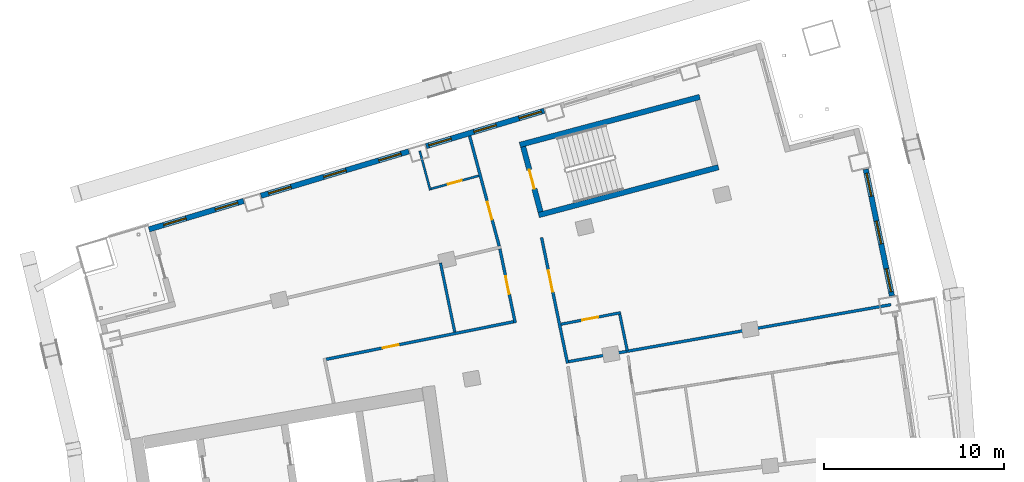
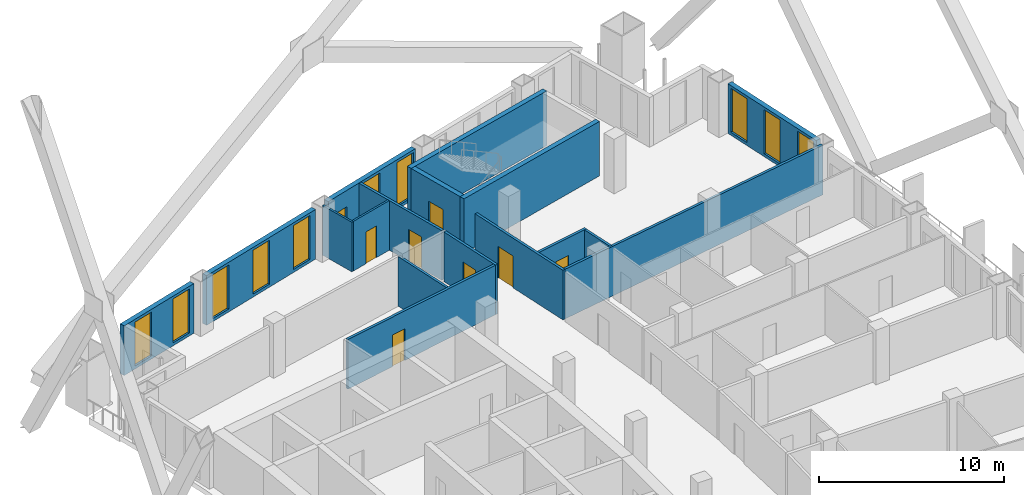
# One storey, part 17 of 22: 17 walls, 11 windows, 7 doors, 18 openings.
"""IFC4 building model written with IfcOpenShell, lengths in metres."""

from ifc_helpers import new_model, si_unit, direction, frame, frame_2d, origin, place, context, subcontext, project, spatial, rectangle, extrude, material, layer, layer_set, type_object, element, fill, save


model = new_model("IFC4")

# Units and contexts
model_context = context("Model", 3, precision=1e-05, world=origin(), true_north=direction((0.0, 1.0)))
body_context = subcontext(model_context, "Body", "Model", "MODEL_VIEW")
ifc_project = project(units=[si_unit("LENGTHUNIT", "METRE"), si_unit("AREAUNIT", "SQUARE_METRE"), si_unit("VOLUMEUNIT", "CUBIC_METRE"), si_unit("PLANEANGLEUNIT", "RADIAN"), si_unit("MASSUNIT", "GRAM", prefix="KILO")], contexts=[model_context])

# Site, building, storey
site_placement = place(None, origin())
site = spatial("IfcSite", under=ifc_project, at=site_placement, CompositionType="ELEMENT")
building_placement = place(site_placement, origin())
building = spatial("IfcBuilding", under=site, at=building_placement, Name="Alderwake Tower", CompositionType="ELEMENT")
storey_placement = place(building_placement, frame((0.0, 0.0, 160.39990234375)))
storey = spatial("IfcBuildingStorey", under=building, at=storey_placement, Name="L39", CompositionType="ELEMENT", Elevation=160.39990234375)

# Walls
ifc_material_1 = material(Name="Concrete C70/85", Category="concrete")
ifc_layer_1 = layer(ifc_material_1, 0.300048828125)
ifc_layer_set_1 = layer_set([ifc_layer_1], Name="Core wall stair enclosure 300 C70-85")
wall_type_1 = type_object("IfcWallType", Name="Core wall stair enclosure 300 C70-85", PredefinedType="SHEAR", material=ifc_layer_set_1)
for number, where, z_axis, x_axis, name in (
    (1, (36.71142578125, 94.182373046875, 0.0), (0.0, 0.0, 1.0), (0.966309214305, 0.257383958996, 0.0), "Core wall CW.082"),
    (2, (37.75390625, 90.268798828125, 0.0), (0.0, 0.0, 1.0), (0.966309214305, 0.257383958996, 0.0), "Core wall CW.084"),
):
    element("IfcWall", number, at=place(storey_placement, frame(where, z_axis=z_axis, x_axis=x_axis)), inside=storey, type_object=wall_type_1, Name=name, PredefinedType="SHEAR", context=body_context, shape_type="SweptSolid", body=[
        extrude(rectangle(XDim=10.360107421875, YDim=0.300048828125, at=frame_2d((5.18017578125, 0.0))), origin(), (0.0, 0.0, 1.0), 3.60009765625),
    ])

# Wall, opening, door
wall_1_placement = place(storey_placement, frame((37.8603515625, 90.452392578125, 0.0), z_axis=(0.0, 0.0, 1.0), x_axis=(-0.257411420208, 0.966301899381, 0.0)))
wall_1 = element("IfcWall", 3, at=wall_1_placement, inside=storey, type_object=wall_type_1, Name="Core wall CW.083", PredefinedType="SHEAR", context=body_context, shape_type="SweptSolid", body=[
    extrude(rectangle(XDim=3.750244140625, YDim=0.300048828125, at=frame_2d((1.875, 0.0))), origin(), (0.0, 0.0, 1.0), 3.60009765625),
])
opening_1_placement = place(wall_1_placement, frame((1.324951171875, 0.0, 0.0)))
opening_1 = element("IfcOpeningElement", 4, at=opening_1_placement, cuts=wall_1, Name="Opening C062", PredefinedType="OPENING", context=body_context, shape_type="SweptSolid", body=[
    extrude(rectangle(XDim=1.10009765625, YDim=2.10009765625, at=frame_2d((0.550048828125, 1.050048828125))), frame((0.0, 0.159912109375, 0.0), z_axis=(0.0, -1.0, 0.0), x_axis=(1.0, 0.0, 0.0)), (0.0, 0.0, 1.0), 0.320068359375),
])
ifc_material_2 = material(Name="Steel-framed fire door leaf", Category="steel")
door_type_1 = type_object("IfcDoorType", Name="Core stair door 1100 fire-rated", OperationType="SINGLE_SWING_LEFT", PredefinedType="DOOR", material=ifc_material_2)
door_1_placement = place(opening_1_placement, origin())
door_1 = element("IfcDoor", 5, at=door_1_placement, inside=storey, type_object=door_type_1, Name="Stair door", OperationType="SINGLE_SWING_LEFT", OverallHeight=2.10009765625, OverallWidth=1.10009765625, PredefinedType="DOOR", context=body_context, shape_type="SweptSolid", body=[
    extrude(rectangle(XDim=1.10009765625, YDim=2.10009765625, at=frame_2d((0.550048828125, 1.050048828125))), frame((0.0, 0.02490234375, 0.0), z_axis=(0.0, -1.0, 0.0), x_axis=(1.0, 0.0, 0.0)), (0.0, 0.0, 1.0), 0.050048828125),
])
fill(opening_1, door_1)

ifc_material_3 = material(Name="Gypsum board on metal studs, rated")
ifc_layer_2 = layer(ifc_material_3, 0.159912109375)
ifc_layer_set_2 = layer_set([ifc_layer_2], Name="Corridor wall 160")
wall_type_2 = type_object("IfcWallType", Name="Corridor wall 160", PredefinedType="PARTITIONING", material=ifc_layer_set_2)
wall_2_placement = place(storey_placement, frame((35.55908203125, 88.54736328125, 0.0), z_axis=(0.0, 0.0, 1.0), x_axis=(-0.259486497004, 0.965746735885, 0.0)))
wall_2 = element("IfcWall", 6, at=wall_2_placement, inside=storey, type_object=wall_type_2, Name="WL/L39/W15", PredefinedType="PARTITIONING", context=body_context, shape_type="SweptSolid", body=[
    extrude(rectangle(XDim=6.346923828125, YDim=0.159912109375, at=frame_2d((3.17333984375, 0.0))), origin(), (0.0, 0.0, 1.0), 3.280029296875),
])
opening_2_placement = place(wall_2_placement, frame((1.5380859375, 0.0, 0.0)))
opening_2 = element("IfcOpeningElement", 7, at=opening_2_placement, cuts=wall_2, Name="Opening R11-U10.1", PredefinedType="OPENING", context=body_context, shape_type="SweptSolid", body=[
    extrude(rectangle(XDim=1.0, YDim=2.10009765625, at=frame_2d((0.5, 1.050048828125))), frame((0.0, 0.08984375, 0.0), z_axis=(0.0, -1.0, 0.0), x_axis=(1.0, 0.0, 0.0)), (0.0, 0.0, 1.0), 0.179931640625),
])
ifc_material_4 = material(Name="Solid timber leaf in steel frame", Category="steel")
door_type_2 = type_object("IfcDoorType", Name="Flat entrance door 1000 fire-rated", OperationType="SINGLE_SWING_LEFT", PredefinedType="DOOR", material=ifc_material_4)
door_2_placement = place(opening_2_placement, origin())
door_2 = element("IfcDoor", 8, at=door_2_placement, inside=storey, type_object=door_type_2, Name="DR/L39/U10.1", OperationType="SINGLE_SWING_LEFT", OverallHeight=2.10009765625, OverallWidth=1.0, PredefinedType="DOOR", context=body_context, shape_type="SweptSolid", body=[
    extrude(rectangle(XDim=1.0, YDim=2.10009765625, at=frame_2d((0.5, 1.050048828125))), frame((0.0, 0.02490234375, 0.0), z_axis=(0.0, -1.0, 0.0), x_axis=(1.0, 0.0, 0.0)), (0.0, 0.0, 1.0), 0.050048828125),
])
fill(opening_2, door_2)

wall_3_placement = place(storey_placement, frame((36.451416015625, 84.272705078125, 0.0), z_axis=(0.0, 0.0, 1.0), x_axis=(-0.20329833965, 0.979116839348, 0.0)))
wall_3 = element("IfcWall", 9, at=wall_3_placement, inside=storey, type_object=wall_type_2, Name="WL/L39/W17", PredefinedType="PARTITIONING", context=body_context, shape_type="SweptSolid", body=[
    extrude(rectangle(XDim=4.206787109375, YDim=0.159912109375, at=frame_2d((2.103515625, 0.0))), origin(), (0.0, 0.0, 1.0), 3.280029296875),
])
opening_3_placement = place(wall_3_placement, frame((1.642822265625, 0.0, 0.0)))
opening_3 = element("IfcOpeningElement", 10, at=opening_3_placement, cuts=wall_3, Name="Opening R11-SBN2", PredefinedType="OPENING", context=body_context, shape_type="SweptSolid", body=[
    extrude(rectangle(XDim=1.0, YDim=2.10009765625, at=frame_2d((0.5, 1.050048828125))), frame((0.0, 0.08984375, 0.0), z_axis=(0.0, -1.0, 0.0), x_axis=(1.0, 0.0, 0.0)), (0.0, 0.0, 1.0), 0.179931640625),
])
ifc_material_5 = material(Name="Steel-framed fire door leaf", Category="steel")
door_type_3 = type_object("IfcDoorType", Name="Plant room door 1000 fire-rated", OperationType="SINGLE_SWING_LEFT", PredefinedType="DOOR", material=ifc_material_5)
door_3_placement = place(opening_3_placement, origin())
door_3 = element("IfcDoor", 11, at=door_3_placement, inside=storey, type_object=door_type_3, Name="DR/L39/SBN2", OperationType="SINGLE_SWING_LEFT", OverallHeight=2.10009765625, OverallWidth=1.0, PredefinedType="DOOR", context=body_context, shape_type="SweptSolid", body=[
    extrude(rectangle(XDim=1.0, YDim=2.10009765625, at=frame_2d((0.5, 1.050048828125))), frame((0.0, 0.02490234375, 0.0), z_axis=(0.0, -1.0, 0.0), x_axis=(1.0, 0.0, 0.0)), (0.0, 0.0, 1.0), 0.050048828125),
])
fill(opening_3, door_3)

wall_4_placement = place(storey_placement, frame((25.926513671875, 82.24267578125, 0.0), z_axis=(0.0, 0.0, 1.0), x_axis=(0.98046310274, 0.196703086316, 0.0)))
wall_4 = element("IfcWall", 12, at=wall_4_placement, inside=storey, type_object=wall_type_2, Name="WL/L39/W19", PredefinedType="PARTITIONING", context=body_context, shape_type="SweptSolid", body=[
    extrude(rectangle(XDim=10.637939453125, YDim=0.159912109375, at=frame_2d((5.31884765625, 0.0))), origin(), (0.0, 0.0, 1.0), 3.280029296875),
])
opening_4_placement = place(wall_4_placement, frame((3.208984375, 0.0, 0.0)))
opening_4 = element("IfcOpeningElement", 13, at=opening_4_placement, cuts=wall_4, Name="Opening R11-SBN1", PredefinedType="OPENING", context=body_context, shape_type="SweptSolid", body=[
    extrude(rectangle(XDim=0.89990234375, YDim=2.10009765625, at=frame_2d((0.449951171875, 1.050048828125))), frame((0.0, 0.08984375, 0.0), z_axis=(0.0, -1.0, 0.0), x_axis=(1.0, 0.0, 0.0)), (0.0, 0.0, 1.0), 0.179931640625),
])
ifc_material_6 = material(Name="Painted timber leaf", Category="wood")
door_type_4 = type_object("IfcDoorType", Name="Room door 900", OperationType="SINGLE_SWING_LEFT", PredefinedType="DOOR", material=ifc_material_6)
door_4_placement = place(opening_4_placement, origin())
door_4 = element("IfcDoor", 14, at=door_4_placement, inside=storey, type_object=door_type_4, Name="DR/L39/SBN1", OperationType="SINGLE_SWING_LEFT", OverallHeight=2.10009765625, OverallWidth=0.89990234375, PredefinedType="DOOR", context=body_context, shape_type="SweptSolid", body=[
    extrude(rectangle(XDim=0.89990234375, YDim=2.10009765625, at=frame_2d((0.449951171875, 1.050048828125))), frame((0.0, 0.02490234375, 0.0), z_axis=(0.0, -1.0, 0.0), x_axis=(1.0, 0.0, 0.0)), (0.0, 0.0, 1.0), 0.050048828125),
])
fill(opening_4, door_4)

wall_5_placement = place(storey_placement, frame((37.9169921875, 89.02490234375, 0.0), z_axis=(0.0, 0.0, 1.0), x_axis=(0.202409142021, -0.979301046271, 0.0)))
wall_5 = element("IfcWall", 15, at=wall_5_placement, inside=storey, type_object=wall_type_2, Name="WL/L39/W22", PredefinedType="PARTITIONING", context=body_context, shape_type="SweptSolid", body=[
    extrude(rectangle(XDim=7.150146484375, YDim=0.159912109375, at=frame_2d((3.5751953125, 0.0))), origin(), (0.0, 0.0, 1.0), 3.280029296875),
])
opening_5_placement = place(wall_5_placement, frame((1.874755859375, 0.0, 0.0)))
opening_5 = element("IfcOpeningElement", 16, at=opening_5_placement, cuts=wall_5, Name="Opening R11-AM1.1", PredefinedType="OPENING", context=body_context, shape_type="SweptSolid", body=[
    extrude(rectangle(XDim=1.199951171875, YDim=2.10009765625, at=frame_2d((0.60009765625, 1.050048828125))), frame((0.0, 0.08984375, 0.0), z_axis=(0.0, -1.0, 0.0), x_axis=(1.0, 0.0, 0.0)), (0.0, 0.0, 1.0), 0.179931640625),
])
ifc_material_7 = material(Name="Steel-framed fire door leaf", Category="steel")
door_type_5 = type_object("IfcDoorType", Name="Lobby door 1200 fire-rated", OperationType="SINGLE_SWING_LEFT", PredefinedType="DOOR", material=ifc_material_7)
door_5_placement = place(opening_5_placement, origin())
door_5 = element("IfcDoor", 17, at=door_5_placement, inside=storey, type_object=door_type_5, Name="DR/L39/AM1.1", OperationType="SINGLE_SWING_LEFT", OverallHeight=2.10009765625, OverallWidth=1.199951171875, PredefinedType="DOOR", context=body_context, shape_type="SweptSolid", body=[
    extrude(rectangle(XDim=1.199951171875, YDim=2.10009765625, at=frame_2d((0.60009765625, 1.050048828125))), frame((0.0, 0.02490234375, 0.0), z_axis=(0.0, -1.0, 0.0), x_axis=(1.0, 0.0, 0.0)), (0.0, 0.0, 1.0), 0.050048828125),
])
fill(opening_5, door_5)

# Wall
wall_6_placement = place(storey_placement, frame((57.368896484375, 85.287109375, 0.0), z_axis=(0.0, 0.0, 1.0), x_axis=(-0.984728473355, -0.174097196314, 0.0)))
element("IfcWall", 18, at=wall_6_placement, inside=storey, type_object=wall_type_2, Name="WL/L39/W28", PredefinedType="PARTITIONING", context=body_context, shape_type="SweptSolid", body=[
    extrude(rectangle(XDim=18.220458984375, YDim=0.159912109375, at=frame_2d((9.1103515625, 0.0))), origin(), (0.0, 0.0, 1.0), 3.280029296875),
])

# Wall, openings, windows
ifc_material_8 = material(Name="Precast concrete C50/60 spandrel panel", Category="concrete")
ifc_layer_3 = layer(ifc_material_8, 0.300048828125)
ifc_layer_set_3 = layer_set([ifc_layer_3], Name="External wall EW1 Precast concrete C50/60 spandrel")
wall_type_3 = type_object("IfcWallType", Name="External wall EW1 Precast concrete C50/60 spandrel", PredefinedType="SOLIDWALL", material=ifc_layer_set_3)
wall_7_placement = place(storey_placement, frame((57.421142578125, 85.777587890625, 0.0), z_axis=(0.0, 0.0, 1.0), x_axis=(-0.202737932552, 0.97923303187, 0.0)))
wall_7 = element("IfcWall", 19, at=wall_7_placement, inside=storey, type_object=wall_type_3, Name="External wall 19", PredefinedType="SOLIDWALL", context=body_context, shape_type="SweptSolid", body=[
    extrude(rectangle(XDim=7.19873046875, YDim=0.300048828125, at=frame_2d((3.599365234375, 0.0))), origin(), (0.0, 0.0, 1.0), 3.280029296875),
])
opening_6_placement = place(wall_7_placement, frame((0.2392578125, 0.0, 0.199951171875)))
opening_6 = element("IfcOpeningElement", 20, at=opening_6_placement, cuts=wall_7, Name="Opening W1", PredefinedType="OPENING", context=body_context, shape_type="SweptSolid", body=[
    extrude(rectangle(XDim=1.300048828125, YDim=2.89990234375, at=frame_2d((0.64990234375, 1.449951171875))), frame((0.0, 0.159912109375, 0.0), z_axis=(0.0, -1.0, 0.0), x_axis=(1.0, 0.0, 0.0)), (0.0, 0.0, 1.0), 0.320068359375),
])
opening_7_placement = place(wall_7_placement, frame((2.949462890625, 0.0, 0.199951171875)))
opening_7 = element("IfcOpeningElement", 21, at=opening_7_placement, cuts=wall_7, Name="Opening W1", PredefinedType="OPENING", context=body_context, shape_type="SweptSolid", body=[
    extrude(rectangle(XDim=1.300048828125, YDim=2.89990234375, at=frame_2d((0.64990234375, 1.449951171875))), frame((0.0, 0.159912109375, 0.0), z_axis=(0.0, -1.0, 0.0), x_axis=(1.0, 0.0, 0.0)), (0.0, 0.0, 1.0), 0.320068359375),
])
opening_8_placement = place(wall_7_placement, frame((5.659423828125, 0.0, 0.199951171875)))
opening_8 = element("IfcOpeningElement", 22, at=opening_8_placement, cuts=wall_7, Name="Opening W1", PredefinedType="OPENING", context=body_context, shape_type="SweptSolid", body=[
    extrude(rectangle(XDim=1.300048828125, YDim=2.89990234375, at=frame_2d((0.64990234375, 1.449951171875))), frame((0.0, 0.159912109375, 0.0), z_axis=(0.0, -1.0, 0.0), x_axis=(1.0, 0.0, 0.0)), (0.0, 0.0, 1.0), 0.320068359375),
])
ifc_material_9 = material(Name="Bronze tinted glass in aluminium frame", Category="aluminium")
window_type_1 = type_object("IfcWindowType", Name="Window W1 tall fixed and vent", PartitioningType="DOUBLE_PANEL_VERTICAL", PredefinedType="WINDOW", material=ifc_material_9)
window_1_placement = place(opening_6_placement, origin())
window_1 = element("IfcWindow", 23, at=window_1_placement, inside=storey, type_object=window_type_1, Name="Window W1 tall fixed and vent", OverallHeight=2.89990234375, OverallWidth=1.300048828125, PartitioningType="DOUBLE_PANEL_VERTICAL", PredefinedType="WINDOW", context=body_context, shape_type="SweptSolid", body=[
    extrude(rectangle(XDim=1.300048828125, YDim=2.89990234375, at=frame_2d((0.64990234375, 1.449951171875))), frame((0.0, 0.030029296875, 0.0), z_axis=(0.0, -1.0, 0.0), x_axis=(1.0, 0.0, 0.0)), (0.0, 0.0, 1.0), 0.06005859375),
])
fill(opening_6, window_1)
window_2_placement = place(opening_7_placement, origin())
window_2 = element("IfcWindow", 24, at=window_2_placement, inside=storey, type_object=window_type_1, Name="Window W1 tall fixed and vent", OverallHeight=2.89990234375, OverallWidth=1.300048828125, PartitioningType="DOUBLE_PANEL_VERTICAL", PredefinedType="WINDOW", context=body_context, shape_type="SweptSolid", body=[
    extrude(rectangle(XDim=1.300048828125, YDim=2.89990234375, at=frame_2d((0.64990234375, 1.449951171875))), frame((0.0, 0.030029296875, 0.0), z_axis=(0.0, -1.0, 0.0), x_axis=(1.0, 0.0, 0.0)), (0.0, 0.0, 1.0), 0.06005859375),
])
fill(opening_7, window_2)
window_3_placement = place(opening_8_placement, origin())
window_3 = element("IfcWindow", 25, at=window_3_placement, inside=storey, type_object=window_type_1, Name="Window W1 tall fixed and vent", OverallHeight=2.89990234375, OverallWidth=1.300048828125, PartitioningType="DOUBLE_PANEL_VERTICAL", PredefinedType="WINDOW", context=body_context, shape_type="SweptSolid", body=[
    extrude(rectangle(XDim=1.300048828125, YDim=2.89990234375, at=frame_2d((0.64990234375, 1.449951171875))), frame((0.0, 0.030029296875, 0.0), z_axis=(0.0, -1.0, 0.0), x_axis=(1.0, 0.0, 0.0)), (0.0, 0.0, 1.0), 0.06005859375),
])
fill(opening_8, window_3)

ifc_material_10 = material(Name="Bronze metal cladding on lightweight framing")
ifc_layer_4 = layer(ifc_material_10, 0.300048828125)
ifc_layer_set_4 = layer_set([ifc_layer_4], Name="External wall EW2 bronze metal cladding")
wall_type_4 = type_object("IfcWallType", Name="External wall EW2 bronze metal cladding", PredefinedType="SOLIDWALL", material=ifc_layer_set_4)
wall_8_placement = place(storey_placement, frame((38.062255859375, 96.080078125, 0.0), z_axis=(0.0, 0.0, 1.0), x_axis=(-0.957776335697, -0.287514331431, 0.0)))
wall_8 = element("IfcWall", 26, at=wall_8_placement, inside=storey, type_object=wall_type_4, Name="External wall 25", PredefinedType="SOLIDWALL", context=body_context, shape_type="SweptSolid", body=[
    extrude(rectangle(XDim=6.86279296875, YDim=0.300048828125, at=frame_2d((3.431396484375, 0.0))), origin(), (0.0, 0.0, 1.0), 3.280029296875),
])
opening_9_placement = place(wall_8_placement, frame((0.1591796875, 0.0, 0.199951171875)))
opening_9 = element("IfcOpeningElement", 27, at=opening_9_placement, cuts=wall_8, Name="Opening W1", PredefinedType="OPENING", context=body_context, shape_type="SweptSolid", body=[
    extrude(rectangle(XDim=1.300048828125, YDim=2.89990234375, at=frame_2d((0.64990234375, 1.449951171875))), frame((0.0, 0.159912109375, 0.0), z_axis=(0.0, -1.0, 0.0), x_axis=(1.0, 0.0, 0.0)), (0.0, 0.0, 1.0), 0.320068359375),
])
opening_10_placement = place(wall_8_placement, frame((2.781494140625, 0.0, 0.199951171875)))
opening_10 = element("IfcOpeningElement", 28, at=opening_10_placement, cuts=wall_8, Name="Opening W1", PredefinedType="OPENING", context=body_context, shape_type="SweptSolid", body=[
    extrude(rectangle(XDim=1.300048828125, YDim=2.89990234375, at=frame_2d((0.64990234375, 1.449951171875))), frame((0.0, 0.159912109375, 0.0), z_axis=(0.0, -1.0, 0.0), x_axis=(1.0, 0.0, 0.0)), (0.0, 0.0, 1.0), 0.320068359375),
])
opening_11_placement = place(wall_8_placement, frame((5.40380859375, 0.0, 1.0)))
opening_11 = element("IfcOpeningElement", 29, at=opening_11_placement, cuts=wall_8, Name="Opening W2", PredefinedType="OPENING", context=body_context, shape_type="SweptSolid", body=[
    extrude(rectangle(XDim=1.300048828125, YDim=1.199951171875, at=frame_2d((0.64990234375, 0.60009765625))), frame((0.0, 0.159912109375, 0.0), z_axis=(0.0, -1.0, 0.0), x_axis=(1.0, 0.0, 0.0)), (0.0, 0.0, 1.0), 0.320068359375),
])
window_4_placement = place(opening_9_placement, origin())
window_4 = element("IfcWindow", 30, at=window_4_placement, inside=storey, type_object=window_type_1, Name="Window W1 tall fixed and vent", OverallHeight=2.89990234375, OverallWidth=1.300048828125, PartitioningType="DOUBLE_PANEL_VERTICAL", PredefinedType="WINDOW", context=body_context, shape_type="SweptSolid", body=[
    extrude(rectangle(XDim=1.300048828125, YDim=2.89990234375, at=frame_2d((0.64990234375, 1.449951171875))), frame((0.0, 0.030029296875, 0.0), z_axis=(0.0, -1.0, 0.0), x_axis=(1.0, 0.0, 0.0)), (0.0, 0.0, 1.0), 0.06005859375),
])
fill(opening_9, window_4)
window_5_placement = place(opening_10_placement, origin())
window_5 = element("IfcWindow", 31, at=window_5_placement, inside=storey, type_object=window_type_1, Name="Window W1 tall fixed and vent", OverallHeight=2.89990234375, OverallWidth=1.300048828125, PartitioningType="DOUBLE_PANEL_VERTICAL", PredefinedType="WINDOW", context=body_context, shape_type="SweptSolid", body=[
    extrude(rectangle(XDim=1.300048828125, YDim=2.89990234375, at=frame_2d((0.64990234375, 1.449951171875))), frame((0.0, 0.030029296875, 0.0), z_axis=(0.0, -1.0, 0.0), x_axis=(1.0, 0.0, 0.0)), (0.0, 0.0, 1.0), 0.06005859375),
])
fill(opening_10, window_5)
ifc_material_11 = material(Name="Bronze tinted glass in aluminium frame", Category="aluminium")
window_type_2 = type_object("IfcWindowType", Name="Window W2 kitchen and bath", PartitioningType="SINGLE_PANEL", PredefinedType="WINDOW", material=ifc_material_11)
window_6_placement = place(opening_11_placement, origin())
window_6 = element("IfcWindow", 32, at=window_6_placement, inside=storey, type_object=window_type_2, Name="Window W2 kitchen and bath", OverallHeight=1.199951171875, OverallWidth=1.300048828125, PartitioningType="SINGLE_PANEL", PredefinedType="WINDOW", context=body_context, shape_type="SweptSolid", body=[
    extrude(rectangle(XDim=1.300048828125, YDim=1.199951171875, at=frame_2d((0.64990234375, 0.60009765625))), frame((0.0, 0.030029296875, 0.0), z_axis=(0.0, -1.0, 0.0), x_axis=(1.0, 0.0, 0.0)), (0.0, 0.0, 1.0), 0.06005859375),
])
fill(opening_11, window_6)

wall_9_placement = place(storey_placement, frame((30.527587890625, 93.818115234375, 0.0), z_axis=(0.0, 0.0, 1.0), x_axis=(-0.957768419769, -0.287540699891, 0.0)))
wall_9 = element("IfcWall", 33, at=wall_9_placement, inside=storey, type_object=wall_type_4, Name="External wall 26", PredefinedType="SOLIDWALL", context=body_context, shape_type="SweptSolid", body=[
    extrude(rectangle(XDim=8.595947265625, YDim=0.300048828125, at=frame_2d((4.2978515625, 0.0))), origin(), (0.0, 0.0, 1.0), 3.280029296875),
])
opening_12_placement = place(wall_9_placement, frame((0.447998046875, 0.0, 0.199951171875)))
opening_12 = element("IfcOpeningElement", 34, at=opening_12_placement, cuts=wall_9, Name="Opening W1", PredefinedType="OPENING", context=body_context, shape_type="SweptSolid", body=[
    extrude(rectangle(XDim=1.300048828125, YDim=2.89990234375, at=frame_2d((0.64990234375, 1.449951171875))), frame((0.0, 0.159912109375, 0.0), z_axis=(0.0, -1.0, 0.0), x_axis=(1.0, 0.0, 0.0)), (0.0, 0.0, 1.0), 0.320068359375),
])
opening_13_placement = place(wall_9_placement, frame((3.64794921875, 0.0, 0.199951171875)))
opening_13 = element("IfcOpeningElement", 35, at=opening_13_placement, cuts=wall_9, Name="Opening W1", PredefinedType="OPENING", context=body_context, shape_type="SweptSolid", body=[
    extrude(rectangle(XDim=1.300048828125, YDim=2.89990234375, at=frame_2d((0.64990234375, 1.449951171875))), frame((0.0, 0.159912109375, 0.0), z_axis=(0.0, -1.0, 0.0), x_axis=(1.0, 0.0, 0.0)), (0.0, 0.0, 1.0), 0.320068359375),
])
opening_14_placement = place(wall_9_placement, frame((6.84814453125, 0.0, 0.199951171875)))
opening_14 = element("IfcOpeningElement", 36, at=opening_14_placement, cuts=wall_9, Name="Opening W1", PredefinedType="OPENING", context=body_context, shape_type="SweptSolid", body=[
    extrude(rectangle(XDim=1.300048828125, YDim=2.89990234375, at=frame_2d((0.64990234375, 1.449951171875))), frame((0.0, 0.159912109375, 0.0), z_axis=(0.0, -1.0, 0.0), x_axis=(1.0, 0.0, 0.0)), (0.0, 0.0, 1.0), 0.320068359375),
])
window_7_placement = place(opening_12_placement, origin())
window_7 = element("IfcWindow", 37, at=window_7_placement, inside=storey, type_object=window_type_1, Name="Window W1 tall fixed and vent", OverallHeight=2.89990234375, OverallWidth=1.300048828125, PartitioningType="DOUBLE_PANEL_VERTICAL", PredefinedType="WINDOW", context=body_context, shape_type="SweptSolid", body=[
    extrude(rectangle(XDim=1.300048828125, YDim=2.89990234375, at=frame_2d((0.64990234375, 1.449951171875))), frame((0.0, 0.030029296875, 0.0), z_axis=(0.0, -1.0, 0.0), x_axis=(1.0, 0.0, 0.0)), (0.0, 0.0, 1.0), 0.06005859375),
])
fill(opening_12, window_7)
window_8_placement = place(opening_13_placement, origin())
window_8 = element("IfcWindow", 38, at=window_8_placement, inside=storey, type_object=window_type_1, Name="Window W1 tall fixed and vent", OverallHeight=2.89990234375, OverallWidth=1.300048828125, PartitioningType="DOUBLE_PANEL_VERTICAL", PredefinedType="WINDOW", context=body_context, shape_type="SweptSolid", body=[
    extrude(rectangle(XDim=1.300048828125, YDim=2.89990234375, at=frame_2d((0.64990234375, 1.449951171875))), frame((0.0, 0.030029296875, 0.0), z_axis=(0.0, -1.0, 0.0), x_axis=(1.0, 0.0, 0.0)), (0.0, 0.0, 1.0), 0.06005859375),
])
fill(opening_13, window_8)
window_9_placement = place(opening_14_placement, origin())
window_9 = element("IfcWindow", 39, at=window_9_placement, inside=storey, type_object=window_type_1, Name="Window W1 tall fixed and vent", OverallHeight=2.89990234375, OverallWidth=1.300048828125, PartitioningType="DOUBLE_PANEL_VERTICAL", PredefinedType="WINDOW", context=body_context, shape_type="SweptSolid", body=[
    extrude(rectangle(XDim=1.300048828125, YDim=2.89990234375, at=frame_2d((0.64990234375, 1.449951171875))), frame((0.0, 0.030029296875, 0.0), z_axis=(0.0, -1.0, 0.0), x_axis=(1.0, 0.0, 0.0)), (0.0, 0.0, 1.0), 0.06005859375),
])
fill(opening_14, window_9)

wall_10_placement = place(storey_placement, frame((21.332763671875, 91.0576171875, 0.0), z_axis=(0.0, 0.0, 1.0), x_axis=(-0.957767615614, -0.287543378434, 0.0)))
wall_10 = element("IfcWall", 40, at=wall_10_placement, inside=storey, type_object=wall_type_4, Name="External wall 27", PredefinedType="SOLIDWALL", context=body_context, shape_type="SweptSolid", body=[
    extrude(rectangle(XDim=5.499267578125, YDim=0.300048828125, at=frame_2d((2.74951171875, 0.0))), origin(), (0.0, 0.0, 1.0), 3.280029296875),
])
opening_15_placement = place(wall_10_placement, frame((0.34814453125, 0.0, 0.199951171875)))
opening_15 = element("IfcOpeningElement", 41, at=opening_15_placement, cuts=wall_10, Name="Opening W1", PredefinedType="OPENING", context=body_context, shape_type="SweptSolid", body=[
    extrude(rectangle(XDim=1.300048828125, YDim=2.89990234375, at=frame_2d((0.64990234375, 1.449951171875))), frame((0.0, 0.159912109375, 0.0), z_axis=(0.0, -1.0, 0.0), x_axis=(1.0, 0.0, 0.0)), (0.0, 0.0, 1.0), 0.320068359375),
])
opening_16_placement = place(wall_10_placement, frame((3.34912109375, 0.0, 0.199951171875)))
opening_16 = element("IfcOpeningElement", 42, at=opening_16_placement, cuts=wall_10, Name="Opening W1", PredefinedType="OPENING", context=body_context, shape_type="SweptSolid", body=[
    extrude(rectangle(XDim=1.300048828125, YDim=2.89990234375, at=frame_2d((0.64990234375, 1.449951171875))), frame((0.0, 0.159912109375, 0.0), z_axis=(0.0, -1.0, 0.0), x_axis=(1.0, 0.0, 0.0)), (0.0, 0.0, 1.0), 0.320068359375),
])
window_10_placement = place(opening_15_placement, origin())
window_10 = element("IfcWindow", 43, at=window_10_placement, inside=storey, type_object=window_type_1, Name="Window W1 tall fixed and vent", OverallHeight=2.89990234375, OverallWidth=1.300048828125, PartitioningType="DOUBLE_PANEL_VERTICAL", PredefinedType="WINDOW", context=body_context, shape_type="SweptSolid", body=[
    extrude(rectangle(XDim=1.300048828125, YDim=2.89990234375, at=frame_2d((0.64990234375, 1.449951171875))), frame((0.0, 0.030029296875, 0.0), z_axis=(0.0, -1.0, 0.0), x_axis=(1.0, 0.0, 0.0)), (0.0, 0.0, 1.0), 0.06005859375),
])
fill(opening_15, window_10)
window_11_placement = place(opening_16_placement, origin())
window_11 = element("IfcWindow", 44, at=window_11_placement, inside=storey, type_object=window_type_1, Name="Window W1 tall fixed and vent", OverallHeight=2.89990234375, OverallWidth=1.300048828125, PartitioningType="DOUBLE_PANEL_VERTICAL", PredefinedType="WINDOW", context=body_context, shape_type="SweptSolid", body=[
    extrude(rectangle(XDim=1.300048828125, YDim=2.89990234375, at=frame_2d((0.64990234375, 1.449951171875))), frame((0.0, 0.030029296875, 0.0), z_axis=(0.0, -1.0, 0.0), x_axis=(1.0, 0.0, 0.0)), (0.0, 0.0, 1.0), 0.06005859375),
])
fill(opening_16, window_11)

# Wall
ifc_material_12 = material(Name="Gypsum shaft wall system, rated")
ifc_layer_5 = layer(ifc_material_12, 0.14990234375)
ifc_layer_set_5 = layer_set([ifc_layer_5], Name="Riser and shaft wall 150")
wall_type_5 = type_object("IfcWallType", Name="Riser and shaft wall 150", PredefinedType="PARTITIONING", material=ifc_layer_set_5)
wall_11_placement = place(storey_placement, frame((33.085693359375, 83.76025390625, 0.0), z_axis=(0.0, 0.0, 1.0), x_axis=(-0.2025562632, 0.97927062666, 0.0)))
element("IfcWall", 45, at=wall_11_placement, inside=storey, type_object=wall_type_5, Name="WL/L39/W07", PredefinedType="PARTITIONING", context=body_context, shape_type="SweptSolid", body=[
    extrude(rectangle(XDim=3.9267578125, YDim=0.14990234375, at=frame_2d((1.96337890625, 0.0))), origin(), (0.0, 0.0, 1.0), 3.280029296875),
])

# Wall, opening, door
wall_12_placement = place(storey_placement, frame((42.32861328125, 84.84228515625, 0.0), z_axis=(0.0, 0.0, 1.0), x_axis=(-0.981655808185, -0.190661674853, 0.0)))
wall_12 = element("IfcWall", 46, at=wall_12_placement, inside=storey, type_object=wall_type_5, Name="WL/L39/W08", PredefinedType="PARTITIONING", context=body_context, shape_type="SweptSolid", body=[
    extrude(rectangle(XDim=3.393310546875, YDim=0.14990234375, at=frame_2d((1.69677734375, 0.0))), origin(), (0.0, 0.0, 1.0), 3.280029296875),
])
opening_17_placement = place(wall_12_placement, frame((1.2841796875, 0.0, 0.0)))
opening_17 = element("IfcOpeningElement", 47, at=opening_17_placement, cuts=wall_12, Name="Opening R11-AM1.2", PredefinedType="OPENING", context=body_context, shape_type="SweptSolid", body=[
    extrude(rectangle(XDim=0.89990234375, YDim=2.10009765625, at=frame_2d((0.449951171875, 1.050048828125))), frame((0.0, 0.0849609375, 0.0), z_axis=(0.0, -1.0, 0.0), x_axis=(1.0, 0.0, 0.0)), (0.0, 0.0, 1.0), 0.169921875),
])
door_6_placement = place(opening_17_placement, origin())
door_6 = element("IfcDoor", 48, at=door_6_placement, inside=storey, type_object=door_type_4, Name="DR/L39/AM1.2", OperationType="SINGLE_SWING_LEFT", OverallHeight=2.10009765625, OverallWidth=0.89990234375, PredefinedType="DOOR", context=body_context, shape_type="SweptSolid", body=[
    extrude(rectangle(XDim=0.89990234375, YDim=2.10009765625, at=frame_2d((0.449951171875, 1.050048828125))), frame((0.0, 0.02490234375, 0.0), z_axis=(0.0, -1.0, 0.0), x_axis=(1.0, 0.0, 0.0)), (0.0, 0.0, 1.0), 0.050048828125),
])
fill(opening_17, door_6)

# Walls
wall_13_placement = place(storey_placement, frame((42.69189453125, 82.714599609375, 0.0), z_axis=(0.0, 0.0, 1.0), x_axis=(-0.202423435623, 0.979298091855, 0.0)))
element("IfcWall", 49, at=wall_13_placement, inside=storey, type_object=wall_type_5, Name="WL/L39/W09", PredefinedType="PARTITIONING", context=body_context, shape_type="SweptSolid", body=[
    extrude(rectangle(XDim=2.0830078125, YDim=0.14990234375, at=frame_2d((1.04150390625, 0.0))), origin(), (0.0, 0.0, 1.0), 3.280029296875),
])
ifc_material_13 = material(Name="Moisture resistant gypsum board on metal studs")
ifc_layer_6 = layer(ifc_material_13, 0.1201171875)
ifc_layer_set_6 = layer_set([ifc_layer_6], Name="Wet room partition 120")
wall_type_6 = type_object("IfcWallType", Name="Wet room partition 120", PredefinedType="PARTITIONING", material=ifc_layer_set_6)
wall_14_placement = place(storey_placement, frame((31.134033203125, 93.843017578125, 0.0), z_axis=(0.0, 0.0, 1.0), x_axis=(0.260139854323, -0.965570948296, 0.0)))
element("IfcWall", 50, at=wall_14_placement, inside=storey, type_object=wall_type_6, Name="WL/L39/W29", PredefinedType="PARTITIONING", context=body_context, shape_type="SweptSolid", body=[
    extrude(rectangle(XDim=2.2626953125, YDim=0.1201171875, at=frame_2d((1.13134765625, 0.0))), origin(), (0.0, 0.0, 1.0), 3.280029296875),
])

# Wall, opening, door
wall_15_placement = place(storey_placement, frame((31.764892578125, 91.73193359375, 0.0), z_axis=(0.0, 0.0, 1.0), x_axis=(0.964278304966, 0.264891205163, 0.0)))
wall_15 = element("IfcWall", 51, at=wall_15_placement, inside=storey, type_object=wall_type_6, Name="WL/L39/W31", PredefinedType="PARTITIONING", context=body_context, shape_type="SweptSolid", body=[
    extrude(rectangle(XDim=2.759521484375, YDim=0.1201171875, at=frame_2d((1.3798828125, 0.0))), origin(), (0.0, 0.0, 1.0), 3.280029296875),
])
opening_18_placement = place(wall_15_placement, frame((0.979736328125, 0.0, 0.0)))
opening_18 = element("IfcOpeningElement", 52, at=opening_18_placement, cuts=wall_15, Name="Opening R11-U10.2", PredefinedType="OPENING", context=body_context, shape_type="SweptSolid", body=[
    extrude(rectangle(XDim=0.800048828125, YDim=2.10009765625, at=frame_2d((0.39990234375, 1.050048828125))), frame((0.0, 0.070068359375, 0.0), z_axis=(0.0, -1.0, 0.0), x_axis=(1.0, 0.0, 0.0)), (0.0, 0.0, 1.0), 0.14013671875),
])
ifc_material_14 = material(Name="Painted timber leaf", Category="wood")
door_type_6 = type_object("IfcDoorType", Name="Bathroom door 800", OperationType="SINGLE_SWING_LEFT", PredefinedType="DOOR", material=ifc_material_14)
door_7_placement = place(opening_18_placement, origin())
door_7 = element("IfcDoor", 53, at=door_7_placement, inside=storey, type_object=door_type_6, Name="DR/L39/U10.2", OperationType="SINGLE_SWING_LEFT", OverallHeight=2.10009765625, OverallWidth=0.800048828125, PredefinedType="DOOR", context=body_context, shape_type="SweptSolid", body=[
    extrude(rectangle(XDim=0.800048828125, YDim=2.10009765625, at=frame_2d((0.39990234375, 1.050048828125))), frame((0.0, 0.02490234375, 0.0), z_axis=(0.0, -1.0, 0.0), x_axis=(1.0, 0.0, 0.0)), (0.0, 0.0, 1.0), 0.050048828125),
])
fill(opening_18, door_7)

save(model, "model.ifc")
